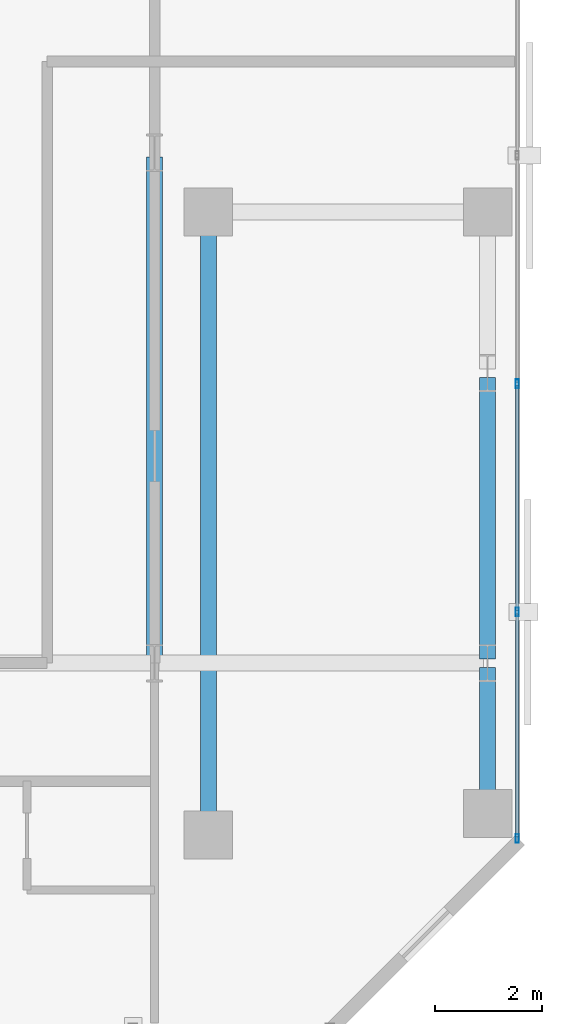
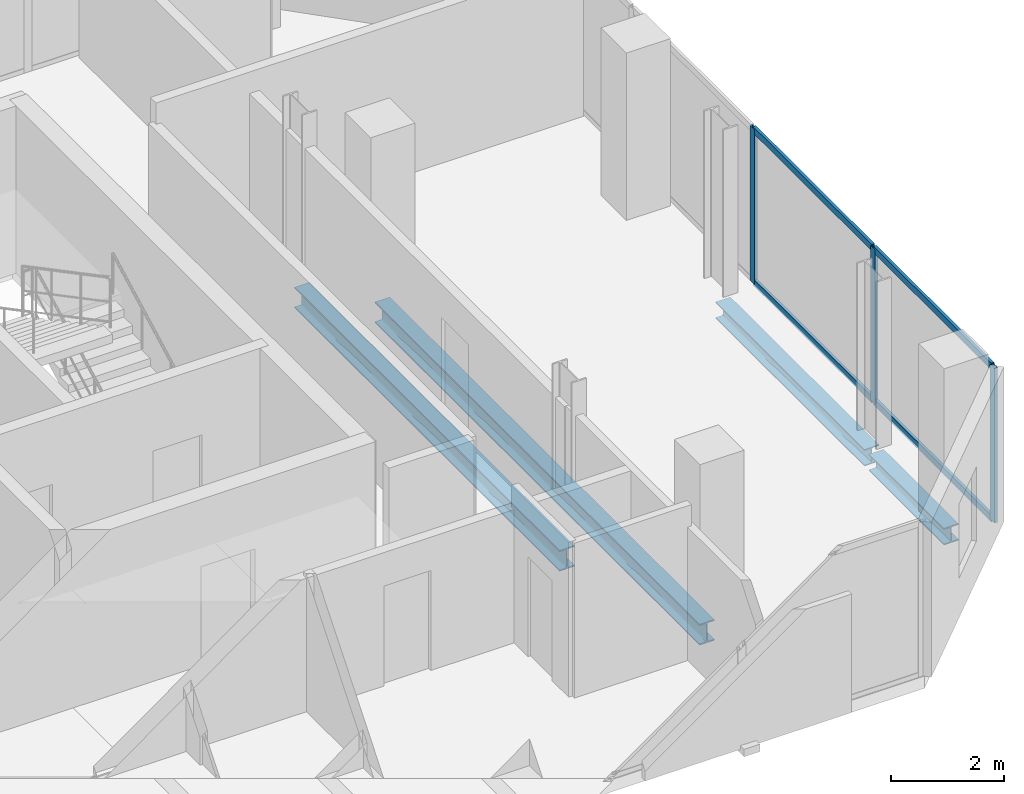
# One storey, part 16 of 34: 7 members, 4 beams, 1 element without a shape of its own.
"""IFC4 building model written with IfcOpenShell, lengths in metres."""

from ifc_helpers import new_model, si_unit, direction, frame, origin, origin_2d, place, context, subcontext, project, spatial, hollow_rectangle, i_section, extrude, material, layer, layer_set, material_profile, profile_set, type_object, element, aggregate, save


model = new_model("IFC4")

# Units and contexts
model_context = context("Model", 3, precision=1e-05, world=origin(), true_north=direction((0.0, 1.0)))
body_context = subcontext(model_context, "Body", "Model", "MODEL_VIEW")
ifc_project = project(units=[si_unit("LENGTHUNIT", "METRE"), si_unit("AREAUNIT", "SQUARE_METRE"), si_unit("VOLUMEUNIT", "CUBIC_METRE"), si_unit("PLANEANGLEUNIT", "RADIAN"), si_unit("MASSUNIT", "GRAM", prefix="KILO")], contexts=[model_context])

# Site, building, storey
site_placement = place(None, origin())
site = spatial("IfcSite", under=ifc_project, at=site_placement, CompositionType="ELEMENT")
building_placement = place(site_placement, origin())
building = spatial("IfcBuilding", under=site, at=building_placement, Name="Catumbela Crestline Tower", CompositionType="ELEMENT")
storey_placement = place(building_placement, frame((0.0, 0.0, 115.2)))
storey = spatial("IfcBuildingStorey", under=building, at=storey_placement, Name="L29", CompositionType="ELEMENT", Elevation=115.2)

# Beams
ifc_material_1 = material(Name="Structural steel S355J2", Category="steel")
ifc_material_profile_1 = material_profile(ifc_material_1, i_section(OverallWidth=0.3, OverallDepth=0.45, WebThickness=0.014, FlangeThickness=0.026, FilletRadius=0.027, at=origin_2d()), Name="HEB 450")
ifc_profile_set_1 = profile_set([ifc_material_profile_1], Name="Structural steel S355J2")
beam_type_1 = type_object("IfcBeamType", Name="BG-HEB450", PredefinedType="BEAM", material=ifc_profile_set_1)
beam_1_placement = place(storey_placement, frame((44.2, 30.88, -0.485), z_axis=(0.0, 1.0, 0.0), x_axis=(-1.0, 0.0, 0.0)))
element("IfcBeam", 1, at=beam_1_placement, inside=storey, type_object=beam_type_1, Name="L29 Beam BM-L29-SN32", PredefinedType="BEAM", context=body_context, shape_type="SweptSolid", body=[
    extrude(i_section(OverallWidth=0.3, OverallDepth=0.45, WebThickness=0.014, FlangeThickness=0.026, FilletRadius=0.027, at=origin_2d()), origin(), (0.0, 0.0, 1.0), 9.34),
])
beam_2_placement = place(storey_placement, frame((45.2, 27.68, -0.485), z_axis=(0.0, 1.0, 0.0), x_axis=(-1.0, 0.0, 0.0)))
element("IfcBeam", 2, at=beam_2_placement, inside=storey, type_object=beam_type_1, Name="L29 Beam BM-L29-SN33", PredefinedType="BEAM", context=body_context, shape_type="SweptSolid", body=[
    extrude(i_section(OverallWidth=0.3, OverallDepth=0.45, WebThickness=0.014, FlangeThickness=0.026, FilletRadius=0.027, at=origin_2d()), origin(), (0.0, 0.0, 1.0), 11.44),
])

# Curtain wall, members
ifc_material_2 = material(Name="Aluminium alloy AW-6060-T66", Category="aluminium")
ifc_layer = layer(ifc_material_2, 0.18, Name="Aluminium alloy AW-6060-T66")
ifc_layer_set = layer_set([ifc_layer], Name="Aluminium alloy AW-6060-T66")
curtain_wall_type = type_object("IfcCurtainWallType", Name="CWU-Z2", PredefinedType="USERDEFINED", material=ifc_layer_set)
curtain_wall_placement = place(storey_placement, origin())
curtain_wall = element("IfcCurtainWall", 3, at=curtain_wall_placement, inside=storey, type_object=curtain_wall_type, Name="L29 Unitised Curtain Wall CW-L29-E5S1", ObjectType="UNITISED", PredefinedType="USERDEFINED")
ifc_material_profile_2 = material_profile(ifc_material_2, hollow_rectangle(XDim=0.06, YDim=0.16, WallThickness=0.004, at=origin_2d()), Name="ALU 160x60x4")
ifc_profile_set_2 = profile_set([ifc_material_profile_2], Name="Aluminium alloy AW-6060-T66")
member_type_1 = type_object("IfcMemberType", Name="MUL-160X60", PredefinedType="MULLION", material=ifc_profile_set_2)
member_1_placement = place(storey_placement, frame((50.95, 27.5325, 0.0), z_axis=(0.0, 0.0, 1.0), x_axis=(-1.0, 0.0, 0.0)))
member_1 = element("IfcMember", 4, at=member_1_placement, type_object=member_type_1, Name="CWU-Z2 mullion 1", PredefinedType="MULLION", context=body_context, shape_type="SweptSolid", body=[
    extrude(hollow_rectangle(XDim=0.06, YDim=0.16, WallThickness=0.004, at=origin_2d()), origin(), (0.0, 0.0, 1.0), 3.33),
])
member_2_placement = place(storey_placement, frame((50.95, 31.75, 0.0), z_axis=(0.0, 0.0, 1.0), x_axis=(-1.0, 0.0, 0.0)))
member_2 = element("IfcMember", 5, at=member_2_placement, type_object=member_type_1, Name="CWU-Z2 mullion 2", PredefinedType="MULLION", context=body_context, shape_type="SweptSolid", body=[
    extrude(hollow_rectangle(XDim=0.06, YDim=0.16, WallThickness=0.004, at=origin_2d()), origin(), (0.0, 0.0, 1.0), 3.33),
])
member_3_placement = place(storey_placement, frame((50.95, 36.0, 0.0), z_axis=(0.0, 0.0, 1.0), x_axis=(-1.0, 0.0, 0.0)))
member_3 = element("IfcMember", 6, at=member_3_placement, type_object=member_type_1, Name="CWU-Z2 mullion 3", PredefinedType="MULLION", context=body_context, shape_type="SweptSolid", body=[
    extrude(hollow_rectangle(XDim=0.06, YDim=0.16, WallThickness=0.004, at=origin_2d()), origin(), (0.0, 0.0, 1.0), 3.33),
])

# Beams
ifc_material_profile_3 = material_profile(ifc_material_1, i_section(OverallWidth=0.3, OverallDepth=0.36, WebThickness=0.0125, FlangeThickness=0.0225, FilletRadius=0.027, at=origin_2d()), Name="HEB 360")
ifc_profile_set_3 = profile_set([ifc_material_profile_3], Name="Structural steel S355J2")
beam_type_2 = type_object("IfcBeamType", Name="BS-HEB360", PredefinedType="SPANDREL", material=ifc_profile_set_3)
beam_3_placement = place(storey_placement, frame((50.4, 28.08, -0.44), z_axis=(0.0, 1.0, 0.0), x_axis=(-1.0, 0.0, 0.0)))
element("IfcBeam", 7, at=beam_3_placement, inside=storey, type_object=beam_type_2, Name="L29 Spandrel SP-L29-SN34", PredefinedType="SPANDREL", context=body_context, shape_type="SweptSolid", body=[
    extrude(i_section(OverallWidth=0.3, OverallDepth=0.36, WebThickness=0.0125, FlangeThickness=0.0225, FilletRadius=0.027, at=origin_2d()), origin(), (0.0, 0.0, 1.0), 2.64),
])
beam_4_placement = place(storey_placement, frame((50.4, 30.88, -0.44), z_axis=(0.0, 1.0, 0.0), x_axis=(-1.0, 0.0, 0.0)))
element("IfcBeam", 8, at=beam_4_placement, inside=storey, type_object=beam_type_2, Name="L29 Spandrel SP-L29-SN35", PredefinedType="SPANDREL", context=body_context, shape_type="SweptSolid", body=[
    extrude(i_section(OverallWidth=0.3, OverallDepth=0.36, WebThickness=0.0125, FlangeThickness=0.0225, FilletRadius=0.027, at=origin_2d()), origin(), (0.0, 0.0, 1.0), 5.24),
])

# Member
ifc_material_profile_4 = material_profile(ifc_material_2, hollow_rectangle(XDim=0.06, YDim=0.14, WallThickness=0.004, at=origin_2d()), Name="ALU 140x60x4")
ifc_profile_set_4 = profile_set([ifc_material_profile_4], Name="Aluminium alloy AW-6060-T66")
member_type_2 = type_object("IfcMemberType", Name="TRN-140X60", PredefinedType="USERDEFINED", material=ifc_profile_set_4)
member_4_placement = place(storey_placement, frame((50.95, 27.565, 0.03), z_axis=(0.0, 1.0, 0.0), x_axis=(-1.0, 0.0, 0.0)))
member_4 = element("IfcMember", 9, at=member_4_placement, type_object=member_type_2, Name="CWU-Z2 transom 1.1", ObjectType="TRANSOM", PredefinedType="USERDEFINED", context=body_context, shape_type="SweptSolid", body=[
    extrude(hollow_rectangle(XDim=0.06, YDim=0.14, WallThickness=0.004, at=origin_2d()), origin(), (0.0, 0.0, 1.0), 4.1525),
])

member_5_placement = place(storey_placement, frame((50.95, 27.565, 3.3), z_axis=(0.0, 1.0, 0.0), x_axis=(-1.0, 0.0, 0.0)))
member_5 = element("IfcMember", 10, at=member_5_placement, type_object=member_type_2, Name="CWU-Z2 transom 1.2", ObjectType="TRANSOM", PredefinedType="USERDEFINED", context=body_context, shape_type="SweptSolid", body=[
    extrude(hollow_rectangle(XDim=0.06, YDim=0.14, WallThickness=0.004, at=origin_2d()), origin(), (0.0, 0.0, 1.0), 4.1525),
])

member_6_placement = place(storey_placement, frame((50.95, 31.7825, 0.03), z_axis=(0.0, 1.0, 0.0), x_axis=(-1.0, 0.0, 0.0)))
member_6 = element("IfcMember", 11, at=member_6_placement, type_object=member_type_2, Name="CWU-Z2 transom 2.1", ObjectType="TRANSOM", PredefinedType="USERDEFINED", context=body_context, shape_type="SweptSolid", body=[
    extrude(hollow_rectangle(XDim=0.06, YDim=0.14, WallThickness=0.004, at=origin_2d()), origin(), (0.0, 0.0, 1.0), 4.185),
])

member_7_placement = place(storey_placement, frame((50.95, 31.7825, 3.3), z_axis=(0.0, 1.0, 0.0), x_axis=(-1.0, 0.0, 0.0)))
member_7 = element("IfcMember", 12, at=member_7_placement, type_object=member_type_2, Name="CWU-Z2 transom 2.2", ObjectType="TRANSOM", PredefinedType="USERDEFINED", context=body_context, shape_type="SweptSolid", body=[
    extrude(hollow_rectangle(XDim=0.06, YDim=0.14, WallThickness=0.004, at=origin_2d()), origin(), (0.0, 0.0, 1.0), 4.185),
])

aggregate(curtain_wall, [member_1, member_2, member_3, member_4, member_5, member_6, member_7])

save(model, "model.ifc")
